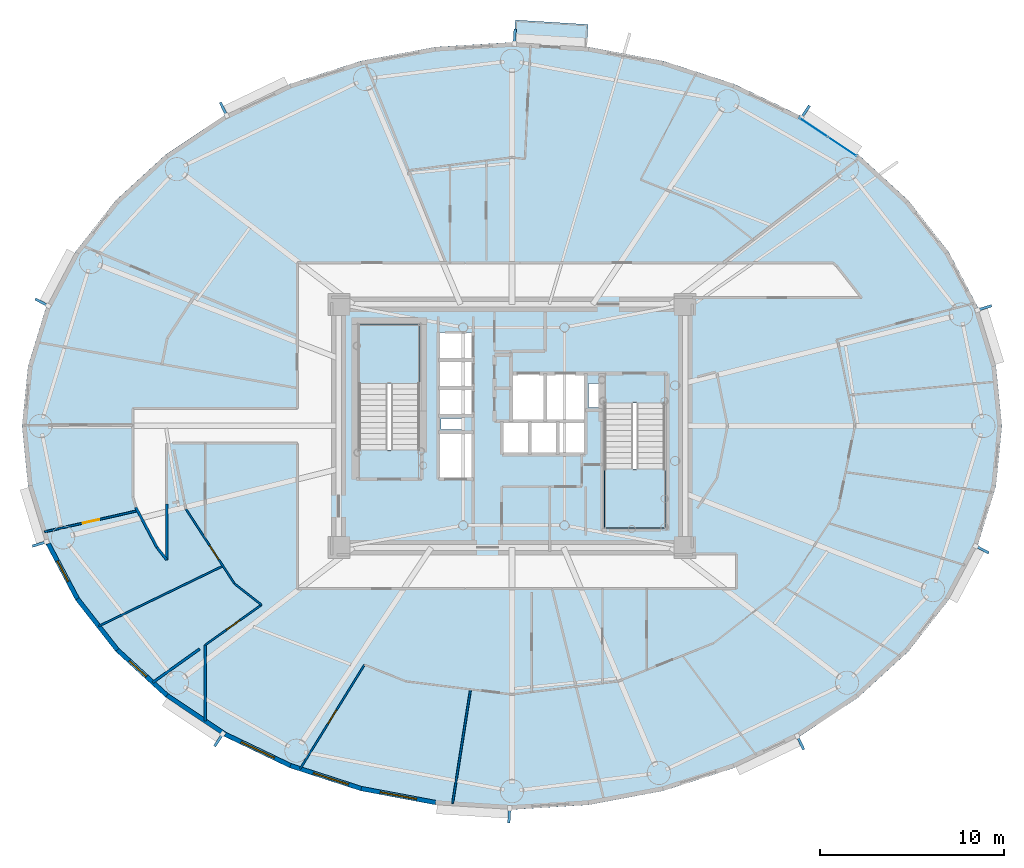
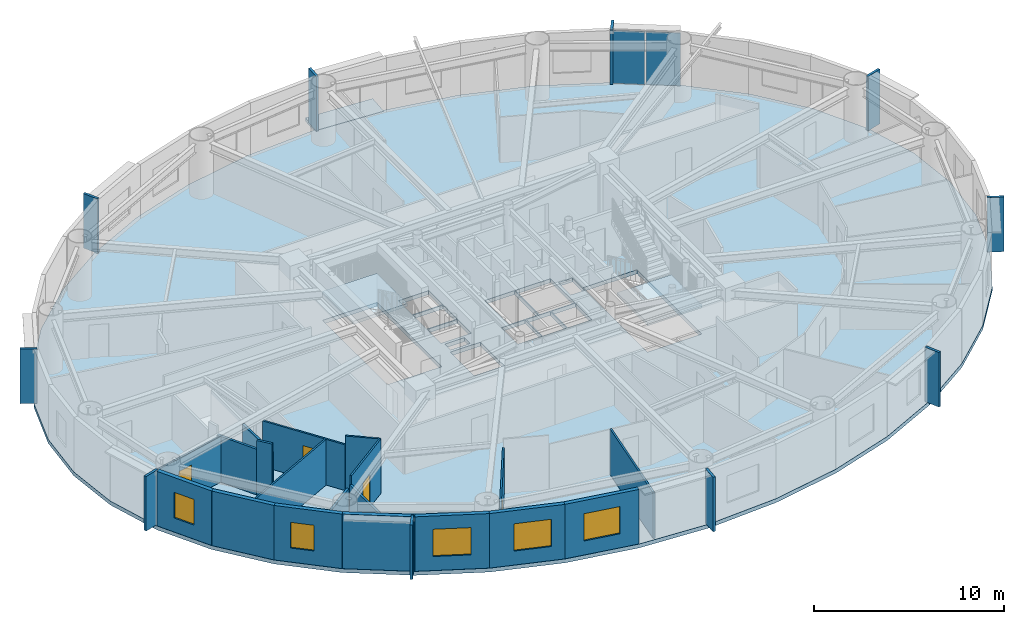
# One storey, part 6 of 18: 19 walls, 12 plates, 5 windows, 4 doors, 4 slabs, 9 openings, 3 elements without a shape of their own.
"""IFC4 building model written with IfcOpenShell, lengths in metres."""

from ifc_helpers import new_model, si_unit, direction, frame, frame_2d, origin, origin_2d, place, context, subcontext, project, spatial, polyline, rectangle, outline, extrude, source, transform, mapped, material, layer, layer_set, type_object, element, fill, aggregate, save


model = new_model("IFC4")

# Units and contexts
model_context = context("Model", 3, precision=1e-05, world=origin(), true_north=direction((0.0, 1.0)))
body_context = subcontext(model_context, "Body", "Model", "MODEL_VIEW")
ifc_project = project(units=[si_unit("LENGTHUNIT", "METRE"), si_unit("AREAUNIT", "SQUARE_METRE"), si_unit("VOLUMEUNIT", "CUBIC_METRE"), si_unit("PLANEANGLEUNIT", "RADIAN"), si_unit("MASSUNIT", "GRAM", prefix="KILO")], contexts=[model_context])

# Site, building, storey
site_placement = place(None, origin())
site = spatial("IfcSite", under=ifc_project, at=site_placement, CompositionType="ELEMENT")
building_placement = place(site_placement, origin())
building = spatial("IfcBuilding", under=site, at=building_placement, Name="Linh Dai School and Residence Tower", CompositionType="ELEMENT")
storey_placement = place(building_placement, frame((0.0, 0.0, 186.14990234375)))
storey = spatial("IfcBuildingStorey", under=building, at=storey_placement, Name="L45", CompositionType="ELEMENT", Elevation=186.14990234375)

# Slabs
ifc_material_1 = material(Name="Concrete B45 (C35/45)", Category="concrete")
ifc_layer_1 = layer(ifc_material_1, 0.219970703125)
ifc_layer_set_1 = layer_set([ifc_layer_1], Name="Concrete B45 (C35/45)")
slab_type_1 = type_object("IfcSlabType", Name="SLB-BALC-220", PredefinedType="FLOOR", material=ifc_layer_set_1)
slab_1_placement = place(storey_placement, frame((0.0, 0.0, -0.219970703125)))
element("IfcSlab", 1, at=slab_1_placement, inside=storey, type_object=slab_type_1, Name="L45 Sliding Balcony Slab 10", PredefinedType="FLOOR", context=body_context, shape_type="SweptSolid", body=[
    extrude(outline(polyline([(36.1025390625, 47.74365234375), (40.048828125, 47.50048828125), (40.128662109375, 48.798095703125), (36.1826171875, 49.041259765625), (36.1025390625, 47.74365234375)])), origin(), (0.0, 0.0, 1.0), 0.219970703125),
])
ifc_layer_2 = layer(ifc_material_1, 0.25)
ifc_layer_set_2 = layer_set([ifc_layer_2], Name="Concrete B45 (C35/45)")
slab_type_2 = type_object("IfcSlabType", Name="SLB-FLR250", PredefinedType="FLOOR", material=ifc_layer_set_2)
slab_2_placement = place(storey_placement, frame((0.0, 0.0, -0.25)))
element("IfcSlab", 2, at=slab_2_placement, inside=storey, type_object=slab_type_2, Name="L45 Composite Structural Floor Slab", PredefinedType="FLOOR", context=body_context, shape_type="SweptSolid", body=[
    extrude(outline(polyline([(62.60009765625, 27.0), (62.2724609375, 30.258544921875), (61.298095703125, 33.436767578125), (59.70068359375, 36.45654296875), (57.519775390625, 39.24365234375), (54.80908203125, 41.72900390625), (51.635009765625, 43.851806640625), (48.076171875, 45.5595703125), (44.219970703125, 46.810546875), (40.1611328125, 47.573486328125), (36.0, 47.830078125), (31.8388671875, 47.573486328125), (27.780029296875, 46.810546875), (23.923828125, 45.5595703125), (20.364990234375, 43.851806640625), (17.19091796875, 41.72900390625), (14.480224609375, 39.24365234375), (12.29931640625, 36.45654296875), (10.701904296875, 33.436767578125), (9.7275390625, 30.258544921875), (9.39990234375, 27.0), (9.7275390625, 23.741455078125), (10.701904296875, 20.563232421875), (12.29931640625, 17.54345703125), (14.480224609375, 14.75634765625), (17.19091796875, 12.27099609375), (20.364990234375, 10.148193359375), (23.923828125, 8.4404296875), (27.780029296875, 7.189453125), (31.8388671875, 6.426513671875), (36.0, 6.169921875), (40.1611328125, 6.426513671875), (44.219970703125, 7.189453125), (48.076171875, 8.4404296875), (51.635009765625, 10.148193359375), (54.80908203125, 12.27099609375), (57.519775390625, 14.75634765625), (59.70068359375, 17.54345703125), (61.298095703125, 20.563232421875), (62.2724609375, 23.741455078125), (62.60009765625, 27.0)]), holes=[polyline([(30.97998046875, 25.699951171875), (30.97998046875, 32.5), (27.679931640625, 32.5), (27.679931640625, 25.699951171875), (30.97998046875, 25.699951171875)]), polyline([(41.02001953125, 28.25), (41.02001953125, 21.449951171875), (44.320068359375, 21.449951171875), (44.320068359375, 28.25), (41.02001953125, 28.25)]), polyline([(35.97998046875, 27.280029296875), (37.77001953125, 27.280029296875), (37.77001953125, 29.820068359375), (35.97998046875, 29.820068359375), (35.97998046875, 27.280029296875)]), polyline([(32.030029296875, 24.1298828125), (33.8701171875, 24.1298828125), (33.8701171875, 26.6201171875), (32.030029296875, 26.6201171875), (32.030029296875, 24.1298828125)]), polyline([(37.830078125, 27.280029296875), (39.969970703125, 27.280029296875), (39.969970703125, 29.820068359375), (37.830078125, 29.820068359375), (37.830078125, 27.280029296875)]), polyline([(32.030029296875, 27.580078125), (33.8701171875, 27.580078125), (33.8701171875, 29.030029296875), (32.030029296875, 29.030029296875), (32.030029296875, 27.580078125)]), polyline([(32.030029296875, 29.090087890625), (33.8701171875, 29.090087890625), (33.8701171875, 30.550048828125), (32.030029296875, 30.550048828125), (32.030029296875, 29.090087890625)]), polyline([(32.030029296875, 30.610107421875), (33.8701171875, 30.610107421875), (33.8701171875, 32.070068359375), (32.030029296875, 32.070068359375), (32.030029296875, 30.610107421875)]), polyline([(35.47998046875, 25.47998046875), (36.929931640625, 25.47998046875), (36.929931640625, 27.219970703125), (35.47998046875, 27.219970703125), (35.47998046875, 25.47998046875)]), polyline([(36.989990234375, 25.47998046875), (38.449951171875, 25.47998046875), (38.449951171875, 27.219970703125), (36.989990234375, 27.219970703125), (36.989990234375, 25.47998046875)]), polyline([(38.510009765625, 25.47998046875), (39.969970703125, 25.47998046875), (39.969970703125, 27.219970703125), (38.510009765625, 27.219970703125), (38.510009765625, 25.47998046875)]), polyline([(40.14990234375, 28.0), (40.14990234375, 29.300048828125), (41.0, 29.300048828125), (41.0, 28.280029296875), (40.989990234375, 28.280029296875), (40.989990234375, 28.0), (40.14990234375, 28.0)]), polyline([(32.14990234375, 26.800048828125), (33.35009765625, 26.800048828125), (33.35009765625, 27.39990234375), (32.14990234375, 27.39990234375), (32.14990234375, 26.800048828125)])]), origin(), (0.0, 0.0, 1.0), 0.25),
])

# Stair, slab
stair_type = type_object("IfcStairType", Name="ST-DOG-1550-R1442", PredefinedType="HALF_TURN_STAIR", material=ifc_material_1)
stair_1_placement = place(storey_placement, origin())
stair_1 = element("IfcStair", 3, at=stair_1_placement, inside=storey, type_object=stair_type, Name="L45 Core Smokeproof Exit Stair ST1", PredefinedType="HALF_TURN_STAIR")
ifc_layer_3 = layer(ifc_material_1, 0.199951171875)
ifc_layer_set_3 = layer_set([ifc_layer_3], Name="Concrete B45 (C35/45)")
slab_type_3 = type_object("IfcSlabType", Name="SLB-ST-LANDING-200", PredefinedType="LANDING", material=ifc_layer_set_3)
slab_3_placement = place(storey_placement, frame((0.0, 0.0, 1.675048828125)))
slab_3 = element("IfcSlab", 4, at=slab_3_placement, type_object=slab_type_3, Name="ST1 landing 1", PredefinedType="LANDING", context=body_context, shape_type="SweptSolid", body=[
    extrude(outline(polyline([(30.97998046875, 29.300048828125), (30.97998046875, 32.5), (27.679931640625, 32.5), (27.679931640625, 29.300048828125), (30.97998046875, 29.300048828125)])), origin(), (0.0, 0.0, 1.0), 0.199951171875),
])
aggregate(stair_1, [slab_3])

stair_2_placement = place(storey_placement, origin())
stair_2 = element("IfcStair", 5, at=stair_2_placement, inside=storey, type_object=stair_type, Name="L45 Core Smokeproof Exit Stair ST2", PredefinedType="HALF_TURN_STAIR")
slab_4_placement = place(storey_placement, frame((0.0, 0.0, 1.675048828125)))
slab_4 = element("IfcSlab", 6, at=slab_4_placement, type_object=slab_type_3, Name="ST2 landing 1", PredefinedType="LANDING", context=body_context, shape_type="SweptSolid", body=[
    extrude(outline(polyline([(41.02001953125, 24.64990234375), (41.02001953125, 21.449951171875), (44.320068359375, 21.449951171875), (44.320068359375, 24.64990234375), (41.02001953125, 24.64990234375)])), origin(), (0.0, 0.0, 1.0), 0.199951171875),
])
aggregate(stair_2, [slab_4])

# Plates
ifc_material_2 = material(Name="Precast Concrete B45 (C35/45)", Category="concrete")
ifc_layer_4 = layer(ifc_material_2, 0.139892578125)
ifc_layer_set_4 = layer_set([ifc_layer_4], Name="Precast Concrete B45 (C35/45)")
plate_type_1 = type_object("IfcPlateType", Name="FIN-TC-900x140", PredefinedType="USERDEFINED", material=ifc_layer_set_4)
shared_shape_1 = source(origin(), body_context, "Body", "SweptSolid", [
    extrude(rectangle(XDim=0.89990234375, YDim=0.139892578125, at=origin_2d()), origin(), (0.0, 0.0, 1.0), 3.5),
])
for number, where, z_axis, x_axis, name in (
    (7, (61.60986328125, 33.394287109375, 0.0), (0.0, 0.0, 1.0), (0.956075055167, 0.293121969301, 0.0), "L45 Precast Terracotta Radial Fin 02"),
    (8, (51.90087890625, 44.017333984375, 0.0), (0.0, 0.0, 1.0), (0.555931154932, 0.831228338651, 0.0), "L45 Precast Terracotta Radial Fin 06"),
    (9, (36.14501953125, 48.10693359375, 0.0), (0.0, 0.0, 1.0), (0.061512376467, 0.99810632076, 0.0), "L45 Precast Terracotta Radial Fin 10"),
    (10, (20.357421875, 44.164794921875, 0.0), (0.0, 0.0, 1.0), (-0.432634701653, 0.901569306779, 0.0), "L45 Precast Terracotta Radial Fin 14"),
    (11, (10.510986328125, 33.686767578125, 0.0), (0.0, 0.0, 1.0), (-0.883950726378, 0.467580060884, 0.0), "L45 Precast Terracotta Radial Fin 18"),
    (12, (10.39013671875, 20.605712890625, 0.0), (0.0, 0.0, 1.0), (-0.956075055167, -0.293121969301, 0.0), "L45 Precast Terracotta Radial Fin 22"),
    (13, (20.09912109375, 9.982666015625, 0.0), (0.0, 0.0, 1.0), (-0.555931154932, -0.831228338651, 0.0), "L45 Precast Terracotta Radial Fin 26"),
    (14, (35.85498046875, 5.89306640625, 0.0), (0.0, 0.0, 1.0), (-0.061512376467, -0.99810632076, 0.0), "L45 Precast Terracotta Radial Fin 30"),
    (15, (51.642578125, 9.835205078125, 0.0), (0.0, 0.0, 1.0), (0.432634701653, -0.901569306779, 0.0), "L45 Precast Terracotta Radial Fin 34"),
    (16, (61.489013671875, 20.313232421875, 0.0), (0.0, 0.0, 1.0), (0.883950726378, -0.467580060884, 0.0), "L45 Precast Terracotta Radial Fin 38"),
):
    element("IfcPlate", number, at=place(storey_placement, frame(where, z_axis=z_axis, x_axis=x_axis)), inside=storey, type_object=plate_type_1, Name=name, ObjectType="RADIAL FIN", PredefinedType="USERDEFINED", context=body_context, shape_type="MappedRepresentation", body=[
        mapped(shared_shape_1, transform((0.0, 0.0, 0.0), x_axis=(1.0, 0.0, 0.0), y_axis=(0.0, 1.0, 0.0), z_axis=(0.0, 0.0, 1.0), scale=1.0)),
    ])

# Curtain wall, plates
ifc_material_3 = material(Name="Aluminium Anodised Curtain Wall", Category="aluminium")
ifc_layer_5 = layer(ifc_material_3, 0.14990234375)
ifc_layer_set_5 = layer_set([ifc_layer_5], Name="Aluminium Anodised Curtain Wall")
curtain_wall_type = type_object("IfcCurtainWallType", Name="CW-SYS-4", PredefinedType="USERDEFINED", material=ifc_layer_set_5)
curtain_wall_placement = place(storey_placement, origin())
curtain_wall = element("IfcCurtainWall", 17, at=curtain_wall_placement, inside=storey, type_object=curtain_wall_type, Name="L45 CW4 Curtain Wall 06", ObjectType="RIBBON CURTAIN WALL", PredefinedType="USERDEFINED")
ifc_material_4 = material(Name="Double Low-E Insulated Glazing", Category="glass")
ifc_layer_6 = layer(ifc_material_4, 0.02587890625)
ifc_layer_set_6 = layer_set([ifc_layer_6], Name="Double Low-E Insulated Glazing")
plate_type_2 = type_object("IfcPlateType", Name="CW-SYS-4-PAN", PredefinedType="CURTAIN_PANEL", material=ifc_layer_set_6)
shared_shape_2 = source(origin(), body_context, "Body", "SweptSolid", [
    extrude(rectangle(XDim=1.822021484375, YDim=0.02587890625, at=origin_2d()), origin(), (0.0, 0.0, 1.0), 3.39599609375),
])
plate_1_placement = place(storey_placement, frame((52.373779296875, 43.207763671875, 0.052001953125), z_axis=(0.0, 0.0, 1.0), x_axis=(0.831228338651, -0.555931154932, 0.0)))
plate_1 = element("IfcPlate", 18, at=plate_1_placement, type_object=plate_type_2, Name="CW4 panel 1.1", PredefinedType="CURTAIN_PANEL", context=body_context, shape_type="MappedRepresentation", body=[
    mapped(shared_shape_2, transform((0.0, 0.0, 0.0), x_axis=(1.0, 0.0, 0.0), y_axis=(0.0, 1.0, 0.0), z_axis=(0.0, 0.0, 1.0), scale=1.0)),
])
plate_2_placement = place(storey_placement, frame((53.931396484375, 42.166015625, 0.052001953125), z_axis=(0.0, 0.0, 1.0), x_axis=(0.831228338651, -0.555931154932, 0.0)))
plate_2 = element("IfcPlate", 19, at=plate_2_placement, type_object=plate_type_2, Name="CW4 panel 2.1", PredefinedType="CURTAIN_PANEL", context=body_context, shape_type="MappedRepresentation", body=[
    mapped(shared_shape_2, transform((0.0, 0.0, 0.0), x_axis=(1.0, 0.0, 0.0), y_axis=(0.0, 1.0, 0.0), z_axis=(0.0, 0.0, 1.0), scale=1.0)),
])
aggregate(curtain_wall, [plate_1, plate_2])

# Wall, opening, window
ifc_layer_7 = layer(ifc_material_2, 0.239990234375)
ifc_layer_set_7 = layer_set([ifc_layer_7], Name="Precast Concrete B45 (C35/45)")
wall_type_1 = type_object("IfcWallType", Name="EW-TC-240", PredefinedType="SOLIDWALL", material=ifc_layer_set_7)
wall_1_placement = place(storey_placement, frame((12.404052734375, 17.611572265625, 0.0), z_axis=(0.0, 0.0, 1.0), x_axis=(-0.467586874938, 0.88394712194, 0.0)))
wall_1 = element("IfcWall", 20, at=wall_1_placement, inside=storey, type_object=wall_type_1, Name="L45 Terracotta Exterior Wall 23", PredefinedType="SOLIDWALL", context=body_context, shape_type="SweptSolid", body=[
    extrude(rectangle(XDim=3.393310546875, YDim=0.239990234375, at=frame_2d((1.69677734375, 0.0))), origin(), (0.0, 0.0, 1.0), 3.5),
])
opening_1_placement = place(wall_1_placement, frame((1.07177734375, 0.0, 0.89990234375)))
opening_1 = element("IfcOpeningElement", 21, at=opening_1_placement, cuts=wall_1, Name="Opening W3", PredefinedType="OPENING", context=body_context, shape_type="SweptSolid", body=[
    extrude(rectangle(XDim=1.25, YDim=1.64990234375, at=origin_2d()), frame((0.625, 0.1298828125, 0.824951171875), z_axis=(0.0, -1.0, 0.0), x_axis=(1.0, 0.0, 0.0)), (0.0, 0.0, 1.0), 0.260009765625),
])
window_type_1 = type_object("IfcWindowType", Name="WN-RES-1250x1650", PartitioningType="SINGLE_PANEL", PredefinedType="WINDOW", material=ifc_material_4)
shared_shape_3 = source(origin(), body_context, "Body", "SweptSolid", [
    extrude(rectangle(XDim=1.25, YDim=1.64990234375, at=origin_2d()), frame((0.625, 0.030029296875, 0.824951171875), z_axis=(0.0, -1.0, 0.0), x_axis=(1.0, 0.0, 0.0)), (0.0, 0.0, 1.0), 0.06005859375),
])
window_1_placement = place(opening_1_placement, origin())
window_1 = element("IfcWindow", 22, at=window_1_placement, inside=storey, type_object=window_type_1, Name="L45 Dwelling Window U4501-BD2", OverallHeight=1.64990234375, OverallWidth=1.25, PartitioningType="SINGLE_PANEL", PredefinedType="WINDOW", context=body_context, shape_type="MappedRepresentation", body=[
    mapped(shared_shape_3, transform((0.0, 0.0, 0.0), x_axis=(1.0, 0.0, 0.0), y_axis=(0.0, 1.0, 0.0), z_axis=(0.0, 0.0, 1.0), scale=1.0)),
])
fill(opening_1, window_1)

# Wall
wall_2_placement = place(storey_placement, frame((14.57177734375, 14.841552734375, 0.0), z_axis=(0.0, 0.0, 1.0), x_axis=(-0.616287674549, 0.787521112224, 0.0)))
element("IfcWall", 23, at=wall_2_placement, inside=storey, type_object=wall_type_1, Name="L45 Terracotta Exterior Wall 24", PredefinedType="SOLIDWALL", context=body_context, shape_type="SweptSolid", body=[
    extrude(rectangle(XDim=3.517333984375, YDim=0.239990234375, at=frame_2d((1.7587890625, 0.0))), origin(), (0.0, 0.0, 1.0), 3.5),
])

# Wall, opening, window
wall_3_placement = place(storey_placement, frame((17.26806640625, 12.369384765625, 0.0), z_axis=(0.0, 0.0, 1.0), x_axis=(-0.737076565834, 0.675809245349, 0.0)))
wall_3 = element("IfcWall", 24, at=wall_3_placement, inside=storey, type_object=wall_type_1, Name="L45 Terracotta Exterior Wall 25", PredefinedType="SOLIDWALL", context=body_context, shape_type="SweptSolid", body=[
    extrude(rectangle(XDim=3.658203125, YDim=0.239990234375, at=frame_2d((1.8291015625, 0.0))), origin(), (0.0, 0.0, 1.0), 3.5),
])
opening_2_placement = place(wall_3_placement, frame((1.51806640625, 0.0, 0.89990234375)))
opening_2 = element("IfcOpeningElement", 25, at=opening_2_placement, cuts=wall_3, Name="Opening W3", PredefinedType="OPENING", context=body_context, shape_type="SweptSolid", body=[
    extrude(rectangle(XDim=1.25, YDim=1.64990234375, at=origin_2d()), frame((0.625, 0.1298828125, 0.824951171875), z_axis=(0.0, -1.0, 0.0), x_axis=(1.0, 0.0, 0.0)), (0.0, 0.0, 1.0), 0.260009765625),
])
window_2_placement = place(opening_2_placement, origin())
window_2 = element("IfcWindow", 26, at=window_2_placement, inside=storey, type_object=window_type_1, Name="L45 Exterior Window 25.1", OverallHeight=1.64990234375, OverallWidth=1.25, PartitioningType="SINGLE_PANEL", PredefinedType="WINDOW", context=body_context, shape_type="MappedRepresentation", body=[
    mapped(shared_shape_3, transform((0.0, 0.0, 0.0), x_axis=(1.0, 0.0, 0.0), y_axis=(0.0, 1.0, 0.0), z_axis=(0.0, 0.0, 1.0), scale=1.0)),
])
fill(opening_2, window_2)

# Wall
wall_4_placement = place(storey_placement, frame((20.4267578125, 10.2568359375, 0.0), z_axis=(0.0, 0.0, 1.0), x_axis=(-0.831228998277, 0.555930168657, 0.0)))
element("IfcWall", 27, at=wall_4_placement, inside=storey, type_object=wall_type_1, Name="L45 Terracotta Exterior Wall 26", PredefinedType="SOLIDWALL", context=body_context, shape_type="SweptSolid", body=[
    extrude(rectangle(XDim=3.800048828125, YDim=0.239990234375, at=frame_2d((1.89990234375, 0.0))), origin(), (0.0, 0.0, 1.0), 3.5),
])

# Wall, opening, window
wall_5_placement = place(storey_placement, frame((23.97021484375, 8.556396484375, 0.0), z_axis=(0.0, 0.0, 1.0), x_axis=(-0.901564733809, 0.432644231155, 0.0)))
wall_5 = element("IfcWall", 28, at=wall_5_placement, inside=storey, type_object=wall_type_1, Name="L45 Terracotta Exterior Wall 27", PredefinedType="SOLIDWALL", context=body_context, shape_type="SweptSolid", body=[
    extrude(rectangle(XDim=3.930419921875, YDim=0.239990234375, at=frame_2d((1.96533203125, 0.0))), origin(), (0.0, 0.0, 1.0), 3.5),
])
opening_3_placement = place(wall_5_placement, frame((0.965087890625, 0.0, 0.89990234375)))
opening_3 = element("IfcOpeningElement", 29, at=opening_3_placement, cuts=wall_5, Name="Opening W1", PredefinedType="OPENING", context=body_context, shape_type="SweptSolid", body=[
    extrude(rectangle(XDim=2.0, YDim=1.75, at=origin_2d()), frame((1.0, 0.1298828125, 0.875), z_axis=(0.0, -1.0, 0.0), x_axis=(1.0, 0.0, 0.0)), (0.0, 0.0, 1.0), 0.260009765625),
])
window_type_2 = type_object("IfcWindowType", Name="WN-RES-2000x1750", PartitioningType="DOUBLE_PANEL_VERTICAL", PredefinedType="WINDOW", material=ifc_material_4)
shared_shape_4 = source(origin(), body_context, "Body", "SweptSolid", [
    extrude(rectangle(XDim=2.0, YDim=1.75, at=origin_2d()), frame((1.0, 0.030029296875, 0.875), z_axis=(0.0, -1.0, 0.0), x_axis=(1.0, 0.0, 0.0)), (0.0, 0.0, 1.0), 0.06005859375),
])
window_3_placement = place(opening_3_placement, origin())
window_3 = element("IfcWindow", 30, at=window_3_placement, inside=storey, type_object=window_type_2, Name="L45 Exterior Window 27.1", OverallHeight=1.75, OverallWidth=2.0, PartitioningType="DOUBLE_PANEL_VERTICAL", PredefinedType="WINDOW", context=body_context, shape_type="MappedRepresentation", body=[
    mapped(shared_shape_4, transform((0.0, 0.0, 0.0), x_axis=(1.0, 0.0, 0.0), y_axis=(0.0, 1.0, 0.0), z_axis=(0.0, 0.0, 1.0), scale=1.0)),
])
fill(opening_3, window_3)

wall_6_placement = place(storey_placement, frame((27.81103515625, 7.310546875, 0.0), z_axis=(0.0, 0.0, 1.0), x_axis=(-0.951209870236, 0.30854462038, 0.0)))
wall_6 = element("IfcWall", 31, at=wall_6_placement, inside=storey, type_object=wall_type_1, Name="L45 Terracotta Exterior Wall 28", PredefinedType="SOLIDWALL", context=body_context, shape_type="SweptSolid", body=[
    extrude(rectangle(XDim=4.037841796875, YDim=0.239990234375, at=frame_2d((2.01904296875, 0.0))), origin(), (0.0, 0.0, 1.0), 3.5),
])
opening_4_placement = place(wall_6_placement, frame((0.7294921875, 0.0, 0.89990234375)))
opening_4 = element("IfcOpeningElement", 32, at=opening_4_placement, cuts=wall_6, Name="Opening W1", PredefinedType="OPENING", context=body_context, shape_type="SweptSolid", body=[
    extrude(rectangle(XDim=2.0, YDim=1.75, at=origin_2d()), frame((1.0, 0.1298828125, 0.875), z_axis=(0.0, -1.0, 0.0), x_axis=(1.0, 0.0, 0.0)), (0.0, 0.0, 1.0), 0.260009765625),
])
window_4_placement = place(opening_4_placement, origin())
window_4 = element("IfcWindow", 33, at=window_4_placement, inside=storey, type_object=window_type_2, Name="L45 Exterior Window 28.1", OverallHeight=1.75, OverallWidth=2.0, PartitioningType="DOUBLE_PANEL_VERTICAL", PredefinedType="WINDOW", context=body_context, shape_type="MappedRepresentation", body=[
    mapped(shared_shape_4, transform((0.0, 0.0, 0.0), x_axis=(1.0, 0.0, 0.0), y_axis=(0.0, 1.0, 0.0), z_axis=(0.0, 0.0, 1.0), scale=1.0)),
])
fill(opening_4, window_4)

wall_7_placement = place(storey_placement, frame((31.854248046875, 6.550537109375, 0.0), z_axis=(0.0, 0.0, 1.0), x_axis=(-0.982788108205, 0.184736391573, 0.0)))
wall_7 = element("IfcWall", 34, at=wall_7_placement, inside=storey, type_object=wall_type_1, Name="L45 Terracotta Exterior Wall 29", PredefinedType="SOLIDWALL", context=body_context, shape_type="SweptSolid", body=[
    extrude(rectangle(XDim=4.114013671875, YDim=0.239990234375, at=frame_2d((2.05712890625, 0.0))), origin(), (0.0, 0.0, 1.0), 3.5),
])
opening_5_placement = place(wall_7_placement, frame((1.056884765625, 0.0, 0.89990234375)))
opening_5 = element("IfcOpeningElement", 35, at=opening_5_placement, cuts=wall_7, Name="Opening W1", PredefinedType="OPENING", context=body_context, shape_type="SweptSolid", body=[
    extrude(rectangle(XDim=2.0, YDim=1.75, at=origin_2d()), frame((1.0, 0.1298828125, 0.875), z_axis=(0.0, -1.0, 0.0), x_axis=(1.0, 0.0, 0.0)), (0.0, 0.0, 1.0), 0.260009765625),
])
window_5_placement = place(opening_5_placement, origin())
window_5 = element("IfcWindow", 36, at=window_5_placement, inside=storey, type_object=window_type_2, Name="L45 Exterior Window 29.1", OverallHeight=1.75, OverallWidth=2.0, PartitioningType="DOUBLE_PANEL_VERTICAL", PredefinedType="WINDOW", context=body_context, shape_type="MappedRepresentation", body=[
    mapped(shared_shape_4, transform((0.0, 0.0, 0.0), x_axis=(1.0, 0.0, 0.0), y_axis=(0.0, 1.0, 0.0), z_axis=(0.0, 0.0, 1.0), scale=1.0)),
])
fill(opening_5, window_5)

# Walls
ifc_material_5 = material(Name="Autoclaved Aerated Concrete Blockwork", Category="masonry")
ifc_layer_8 = layer(ifc_material_5, 0.135009765625)
ifc_layer_set_8 = layer_set([ifc_layer_8], Name="Autoclaved Aerated Concrete Blockwork")
wall_type_2 = type_object("IfcWallType", Name="IW-CORR-135-EI90", PredefinedType="PARTITIONING", material=ifc_layer_set_8)
wall_8_placement = place(storey_placement, frame((15.57421875, 22.577880859375, 0.0), z_axis=(0.0, 0.0, 1.0), x_axis=(0.467613130075, -0.883933233102, 0.0)))
element("IfcWall", 37, at=wall_8_placement, inside=storey, type_object=wall_type_2, Name="L45 Interior Partition Wall 009", PredefinedType="PARTITIONING", context=body_context, shape_type="SweptSolid", body=[
    extrude(rectangle(XDim=2.451171875, YDim=0.135009765625, at=frame_2d((1.2255859375, 0.0))), origin(), (0.0, 0.0, 1.0), 2.93505859375),
])
wall_9_placement = place(storey_placement, frame((16.720458984375, 20.410888671875, 0.0), z_axis=(0.0, 0.0, 1.0), x_axis=(0.616377221056, -0.787451027914, 0.0)))
element("IfcWall", 38, at=wall_9_placement, inside=storey, type_object=wall_type_2, Name="L45 Interior Partition Wall 010", PredefinedType="PARTITIONING", context=body_context, shape_type="SweptSolid", body=[
    extrude(rectangle(XDim=0.859130859375, YDim=0.135009765625, at=frame_2d((0.4296875, 0.0))), origin(), (0.0, 0.0, 1.0), 3.5),
])
wall_10_placement = place(storey_placement, frame((17.25, 19.734375, 0.0), z_axis=(0.0, 0.0, 1.0), x_axis=(0.0, 1.0, 0.0)))
element("IfcWall", 39, at=wall_10_placement, inside=storey, type_object=wall_type_2, Name="L45 Interior Partition Wall 012", PredefinedType="PARTITIONING", context=body_context, shape_type="SweptSolid", body=[
    extrude(rectangle(XDim=3.01806640625, YDim=0.135009765625, at=frame_2d((1.509033203125, 0.0))), origin(), (0.0, 0.0, 1.0), 2.93505859375),
])
wall_11_placement = place(storey_placement, frame((19.34716796875, 10.972900390625, 0.0), z_axis=(0.0, 0.0, 1.0), x_axis=(0.0, 1.0, 0.0)))
element("IfcWall", 40, at=wall_11_placement, inside=storey, type_object=wall_type_2, Name="L45 Interior Partition Wall 110", PredefinedType="PARTITIONING", context=body_context, shape_type="SweptSolid", body=[
    extrude(rectangle(XDim=4.13671875, YDim=0.135009765625, at=frame_2d((2.068359375, 0.0))), origin(), (0.0, 0.0, 1.0), 2.93505859375),
])
wall_12_placement = place(storey_placement, frame((19.039794921875, 14.89013671875, 0.0), z_axis=(0.0, 0.0, 1.0), x_axis=(-0.813828377049, -0.5811053026, 0.0)))
element("IfcWall", 41, at=wall_12_placement, inside=storey, type_object=wall_type_2, Name="L45 Interior Partition Wall 112", PredefinedType="PARTITIONING", context=body_context, shape_type="SweptSolid", body=[
    extrude(rectangle(XDim=3.12841796875, YDim=0.135009765625, at=frame_2d((1.564208984375, 0.0))), origin(), (0.0, 0.0, 1.0), 2.93505859375),
])

# Wall, opening, door
ifc_material_6 = material(Name="Gypsum Plasterboard Acoustic Stud Partition", Category="masonry")
ifc_layer_9 = layer(ifc_material_6, 0.10009765625)
ifc_layer_set_9 = layer_set([ifc_layer_9], Name="Gypsum Plasterboard Acoustic Stud Partition")
wall_type_3 = type_object("IfcWallType", Name="IW-UNIT-100", PredefinedType="PARTITIONING", material=ifc_layer_set_9)
wall_13_placement = place(storey_placement, frame((10.6162109375, 21.249755859375, 0.0), z_axis=(0.0, 0.0, 1.0), x_axis=(0.975289939743, 0.220928797208, 0.0)))
wall_13 = element("IfcWall", 42, at=wall_13_placement, inside=storey, type_object=wall_type_3, Name="L45 Interior Partition Wall 003", PredefinedType="PARTITIONING", context=body_context, shape_type="SweptSolid", body=[
    extrude(rectangle(XDim=5.182861328125, YDim=0.10009765625, at=frame_2d((2.59130859375, 0.0))), origin(), (0.0, 0.0, 1.0), 2.93505859375),
])
opening_6_placement = place(wall_13_placement, frame((2.141357421875, 0.0, 0.0)))
opening_6 = element("IfcOpeningElement", 43, at=opening_6_placement, cuts=wall_13, Name="Opening D05", PredefinedType="OPENING", context=body_context, shape_type="SweptSolid", body=[
    extrude(rectangle(XDim=0.89990234375, YDim=2.10009765625, at=origin_2d()), frame((0.449951171875, 0.06005859375, 1.050048828125), z_axis=(0.0, -1.0, 0.0), x_axis=(1.0, 0.0, 0.0)), (0.0, 0.0, 1.0), 0.1201171875),
])
ifc_material_7 = material(Name="Engineered Timber Internal Door", Category="wood")
door_type = type_object("IfcDoorType", Name="DR-INT-900x2100", OperationType="NOTDEFINED", PredefinedType="DOOR", material=ifc_material_7)
shared_shape_5 = source(origin(), body_context, "Body", "SweptSolid", [
    extrude(rectangle(XDim=0.89990234375, YDim=2.10009765625, at=origin_2d()), frame((0.449951171875, 0.02490234375, 1.050048828125), z_axis=(0.0, -1.0, 0.0), x_axis=(1.0, 0.0, 0.0)), (0.0, 0.0, 1.0), 0.050048828125),
])
door_1_placement = place(opening_6_placement, origin())
door_1 = element("IfcDoor", 44, at=door_1_placement, inside=storey, type_object=door_type, Name="L45 Apartment U4501 Study Door", OperationType="SINGLE_SWING_RIGHT", OverallHeight=2.10009765625, OverallWidth=0.89990234375, PredefinedType="DOOR", context=body_context, shape_type="MappedRepresentation", body=[
    mapped(shared_shape_5, transform((0.0, 0.0, 0.0), x_axis=(1.0, 0.0, 0.0), y_axis=(0.0, 1.0, 0.0), z_axis=(0.0, 0.0, 1.0), scale=1.0)),
])
fill(opening_6, door_1)

# Wall
wall_14_placement = place(storey_placement, frame((13.55859375, 16.1279296875, 0.0), z_axis=(0.0, 0.0, 1.0), x_axis=(0.899957370901, 0.43597790146, 0.0)))
element("IfcWall", 45, at=wall_14_placement, inside=storey, type_object=wall_type_3, Name="L45 Interior Partition Wall 005", PredefinedType="PARTITIONING", context=body_context, shape_type="SweptSolid", body=[
    extrude(rectangle(XDim=7.498291015625, YDim=0.10009765625, at=frame_2d((3.7490234375, 0.0))), origin(), (0.0, 0.0, 1.0), 2.93505859375),
])

# Wall, opening, door
wall_15_placement = place(storey_placement, frame((18.291259765625, 22.494140625, 0.0), z_axis=(0.0, 0.0, 1.0), x_axis=(0.545382906853, -0.838187022634, 0.0)))
wall_15 = element("IfcWall", 46, at=wall_15_placement, inside=storey, type_object=wall_type_3, Name="L45 Interior Partition Wall 016", PredefinedType="PARTITIONING", context=body_context, shape_type="SweptSolid", body=[
    extrude(rectangle(XDim=4.849365234375, YDim=0.10009765625, at=frame_2d((2.4248046875, 0.0))), origin(), (0.0, 0.0, 1.0), 2.93505859375),
])
opening_7_placement = place(wall_15_placement, frame((2.365478515625, 0.0, 0.0)))
opening_7 = element("IfcOpeningElement", 47, at=opening_7_placement, cuts=wall_15, Name="Opening D05", PredefinedType="OPENING", context=body_context, shape_type="SweptSolid", body=[
    extrude(rectangle(XDim=0.89990234375, YDim=2.10009765625, at=origin_2d()), frame((0.449951171875, 0.06005859375, 1.050048828125), z_axis=(0.0, -1.0, 0.0), x_axis=(1.0, 0.0, 0.0)), (0.0, 0.0, 1.0), 0.1201171875),
])
door_2_placement = place(opening_7_placement, origin())
door_2 = element("IfcDoor", 48, at=door_2_placement, inside=storey, type_object=door_type, Name="L45 Apartment U4501 Principal Bedroom 2 Door", OperationType="SINGLE_SWING_RIGHT", OverallHeight=2.10009765625, OverallWidth=0.89990234375, PredefinedType="DOOR", context=body_context, shape_type="MappedRepresentation", body=[
    mapped(shared_shape_5, transform((0.0, 0.0, 0.0), x_axis=(1.0, 0.0, 0.0), y_axis=(0.0, 1.0, 0.0), z_axis=(0.0, 0.0, 1.0), scale=1.0)),
])
fill(opening_7, door_2)

wall_16_placement = place(storey_placement, frame((19.34716796875, 15.109619140625, 0.0), z_axis=(0.0, 0.0, 1.0), x_axis=(0.813856749582, 0.581065565285, 0.0)))
wall_16 = element("IfcWall", 49, at=wall_16_placement, inside=storey, type_object=wall_type_3, Name="L45 Interior Partition Wall 017", PredefinedType="PARTITIONING", context=body_context, shape_type="SweptSolid", body=[
    extrude(rectangle(XDim=3.74609375, YDim=0.10009765625, at=frame_2d((1.873046875, 0.0))), origin(), (0.0, 0.0, 1.0), 3.5),
])
opening_8_placement = place(wall_16_placement, frame((1.423095703125, 0.0, 0.0)))
opening_8 = element("IfcOpeningElement", 50, at=opening_8_placement, cuts=wall_16, Name="Opening D05", PredefinedType="OPENING", context=body_context, shape_type="SweptSolid", body=[
    extrude(rectangle(XDim=0.89990234375, YDim=2.10009765625, at=origin_2d()), frame((0.449951171875, 0.06005859375, 1.050048828125), z_axis=(0.0, -1.0, 0.0), x_axis=(1.0, 0.0, 0.0)), (0.0, 0.0, 1.0), 0.1201171875),
])
door_3_placement = place(opening_8_placement, origin())
door_3 = element("IfcDoor", 51, at=door_3_placement, inside=storey, type_object=door_type, Name="L45 Apartment U4501 Study Door", OperationType="SINGLE_SWING_LEFT", OverallHeight=2.10009765625, OverallWidth=0.89990234375, PredefinedType="DOOR", context=body_context, shape_type="MappedRepresentation", body=[
    mapped(shared_shape_5, transform((0.0, 0.0, 0.0), x_axis=(1.0, 0.0, 0.0), y_axis=(0.0, 1.0, 0.0), z_axis=(0.0, 0.0, 1.0), scale=1.0)),
])
fill(opening_8, door_3)

# Wall
wall_17_placement = place(storey_placement, frame((20.93603515625, 18.429443359375, 0.0), z_axis=(0.0, 0.0, 1.0), x_axis=(0.787377174631, -0.616471560472, 0.0)))
element("IfcWall", 52, at=wall_17_placement, inside=storey, type_object=wall_type_3, Name="L45 Interior Partition Wall 019", PredefinedType="PARTITIONING", context=body_context, shape_type="SweptSolid", body=[
    extrude(rectangle(XDim=1.854248046875, YDim=0.10009765625, at=frame_2d((0.92724609375, 0.0))), origin(), (0.0, 0.0, 1.0), 3.5),
])

# Wall, opening, door
wall_18_placement = place(storey_placement, frame((24.49658203125, 8.38037109375, 0.0), z_axis=(0.0, 0.0, 1.0), x_axis=(0.525599261466, 0.850732282417, 0.0)))
wall_18 = element("IfcWall", 53, at=wall_18_placement, inside=storey, type_object=wall_type_3, Name="L45 Interior Partition Wall 024", PredefinedType="PARTITIONING", context=body_context, shape_type="SweptSolid", body=[
    extrude(rectangle(XDim=6.644775390625, YDim=0.10009765625, at=frame_2d((3.322265625, 0.0))), origin(), (0.0, 0.0, 1.0), 2.93505859375),
])
opening_9_placement = place(wall_18_placement, frame((2.872314453125, 0.0, 0.0)))
opening_9 = element("IfcOpeningElement", 54, at=opening_9_placement, cuts=wall_18, Name="Opening D05", PredefinedType="OPENING", context=body_context, shape_type="SweptSolid", body=[
    extrude(rectangle(XDim=0.89990234375, YDim=2.10009765625, at=origin_2d()), frame((0.449951171875, 0.06005859375, 1.050048828125), z_axis=(0.0, -1.0, 0.0), x_axis=(1.0, 0.0, 0.0)), (0.0, 0.0, 1.0), 0.1201171875),
])
door_4_placement = place(opening_9_placement, origin())
door_4 = element("IfcDoor", 55, at=door_4_placement, inside=storey, type_object=door_type, Name="L45 Apartment U4501 Principal Bedroom 3 Door", OperationType="SINGLE_SWING_RIGHT", OverallHeight=2.10009765625, OverallWidth=0.89990234375, PredefinedType="DOOR", context=body_context, shape_type="MappedRepresentation", body=[
    mapped(shared_shape_5, transform((0.0, 0.0, 0.0), x_axis=(1.0, 0.0, 0.0), y_axis=(0.0, 1.0, 0.0), z_axis=(0.0, 0.0, 1.0), scale=1.0)),
])
fill(opening_9, door_4)

# Wall
wall_19_placement = place(storey_placement, frame((32.771728515625, 6.489013671875, 0.0), z_axis=(0.0, 0.0, 1.0), x_axis=(0.155479878696, 0.987839059423, 0.0)))
element("IfcWall", 56, at=wall_19_placement, inside=storey, type_object=wall_type_3, Name="L45 Interior Partition Wall 038", PredefinedType="PARTITIONING", context=body_context, shape_type="SweptSolid", body=[
    extrude(rectangle(XDim=6.28564453125, YDim=0.10009765625, at=frame_2d((3.142822265625, 0.0))), origin(), (0.0, 0.0, 1.0), 2.93505859375),
])

save(model, "model.ifc")
